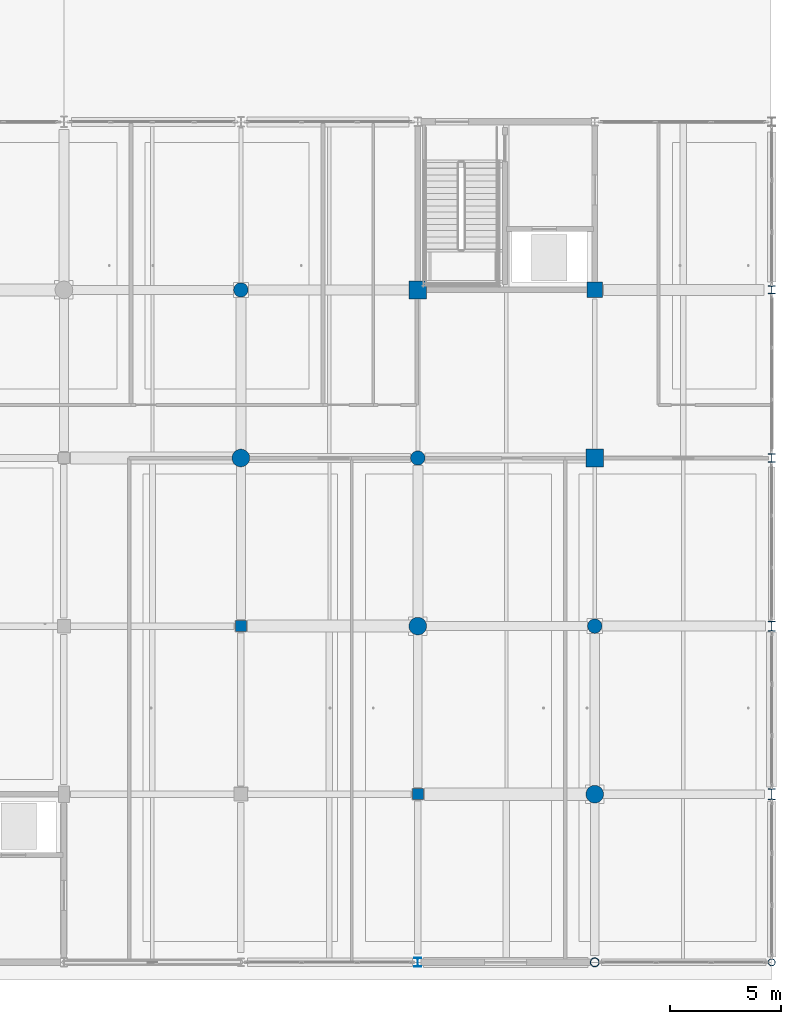
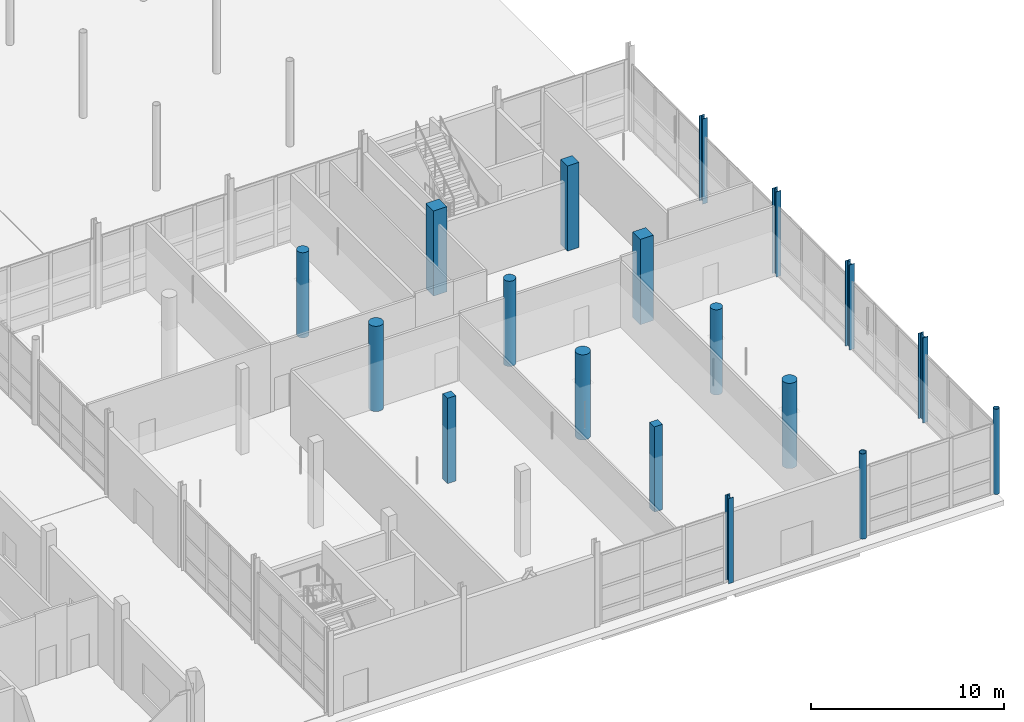
# One storey, part 7 of 126: 18 columns.
"""IFC4 building model written with IfcOpenShell, lengths in metres."""

from ifc_helpers import new_model, si_unit, direction, frame, origin, origin_2d, place, context, subcontext, project, spatial, rectangle, circle, hollow_circle, i_section, extrude, material, material_profile, profile_set, type_object, element, save


model = new_model("IFC4")

# Units and contexts
model_context = context("Model", 3, precision=1e-05, world=origin(), true_north=direction((0.0, 1.0)))
body_context = subcontext(model_context, "Body", "Model", "MODEL_VIEW")
ifc_project = project(units=[si_unit("LENGTHUNIT", "METRE"), si_unit("AREAUNIT", "SQUARE_METRE"), si_unit("VOLUMEUNIT", "CUBIC_METRE"), si_unit("PLANEANGLEUNIT", "RADIAN"), si_unit("MASSUNIT", "GRAM", prefix="KILO")], contexts=[model_context])

# Site, building, storey
site_placement = place(None, origin())
site = spatial("IfcSite", under=ifc_project, at=site_placement, CompositionType="ELEMENT")
building_placement = place(site_placement, origin())
building = spatial("IfcBuilding", under=site, at=building_placement, Name="Khelvaren Railside Concert Hall", CompositionType="ELEMENT")
storey_placement = place(building_placement, origin())
storey = spatial("IfcBuildingStorey", under=building, at=storey_placement, Name="L00", CompositionType="ELEMENT", Elevation=0.0)

# Columns
ifc_material_1 = material(Name="Steel S355", Category="steel")
ifc_material_profile_1 = material_profile(ifc_material_1, i_section(OverallWidth=0.300048828125, OverallDepth=0.360107421875, WebThickness=0.012451171875, FlangeThickness=0.0224609375, FilletRadius=0.027099609375, at=origin_2d()), Name="HEB 360")
ifc_profile_set_1 = profile_set([ifc_material_profile_1], Name="Steel S355")
column_type_1 = type_object("IfcColumnType", Name="COL12", PredefinedType="COLUMN", material=ifc_profile_set_1)
column_1_placement = place(storey_placement, frame((184.0, 30.39990234375, 0.0), z_axis=(0.0, 0.0, 1.0), x_axis=(1.0, 0.0, 0.0)))
element("IfcColumn", 1, at=column_1_placement, inside=storey, type_object=column_type_1, Name="V2 L00 Column (184.0,30.4)", PredefinedType="COLUMN", context=body_context, shape_type="SweptSolid", body=[
    extrude(i_section(OverallWidth=0.300048828125, OverallDepth=0.360107421875, WebThickness=0.012451171875, FlangeThickness=0.0224609375, FilletRadius=0.027099609375, at=origin_2d()), origin(), (0.0, 0.0, 1.0), 5.39990234375),
])
ifc_material_2 = material(Name="Concrete C45/55", Category="concrete")
ifc_material_profile_2 = material_profile(ifc_material_2, circle(Radius=0.39990234375, at=origin_2d()), Name="RC D800")
ifc_profile_set_2 = profile_set([ifc_material_profile_2], Name="Concrete C45/55")
column_type_2 = type_object("IfcColumnType", Name="COL14", PredefinedType="COLUMN", material=ifc_profile_set_2)
for number, where, z_axis, x_axis, name in (
    (2, (160.0, 22.800048828125, 0.0), (0.0, 0.0, 1.0), (1.0, 0.0, 0.0), "V2 L00 Column (160.0,22.8)"),
    (3, (168.0, 15.199951171875, 0.0), (0.0, 0.0, 1.0), (1.0, 0.0, 0.0), "V2 L00 Column (168.0,15.2)"),
    (4, (176.0, 7.60009765625, 0.0), (0.0, 0.0, 1.0), (1.0, 0.0, 0.0), "V2 L00 Column (176.0,7.6)"),
):
    element("IfcColumn", number, at=place(storey_placement, frame(where, z_axis=z_axis, x_axis=x_axis)), inside=storey, type_object=column_type_2, Name=name, PredefinedType="COLUMN", context=body_context, shape_type="SweptSolid", body=[
        extrude(circle(Radius=0.39990234375, at=origin_2d()), origin(), (0.0, 0.0, 1.0), 5.39990234375),
    ])
ifc_material_profile_3 = material_profile(ifc_material_1, i_section(OverallWidth=0.300048828125, OverallDepth=0.5, WebThickness=0.014404296875, FlangeThickness=0.028076171875, FilletRadius=0.027099609375, at=origin_2d()), Name="HEB 500")
ifc_profile_set_3 = profile_set([ifc_material_profile_3], Name="Steel S355")
column_type_3 = type_object("IfcColumnType", Name="COL15", PredefinedType="COLUMN", material=ifc_profile_set_3)
column_2_placement = place(storey_placement, frame((184.0, 7.60009765625, 0.0), z_axis=(0.0, 0.0, 1.0), x_axis=(1.0, 0.0, 0.0)))
element("IfcColumn", 5, at=column_2_placement, inside=storey, type_object=column_type_3, Name="V2 L00 Column (184.0,7.6)", PredefinedType="COLUMN", context=body_context, shape_type="SweptSolid", body=[
    extrude(i_section(OverallWidth=0.300048828125, OverallDepth=0.5, WebThickness=0.014404296875, FlangeThickness=0.028076171875, FilletRadius=0.027099609375, at=origin_2d()), origin(), (0.0, 0.0, 1.0), 5.39990234375),
])
ifc_material_profile_4 = material_profile(ifc_material_2, rectangle(XDim=0.800048828125, YDim=0.800048828125, at=origin_2d()), Name="RC 800x800")
ifc_profile_set_4 = profile_set([ifc_material_profile_4], Name="Concrete C45/55")
column_type_4 = type_object("IfcColumnType", Name="COL20", PredefinedType="COLUMN", material=ifc_profile_set_4)
for number, where, z_axis, x_axis, name in (
    (6, (168.0, 30.39990234375, 0.0), (0.0, 0.0, 1.0), (1.0, 0.0, 0.0), "V2 L00 Column (168.0,30.4)"),
    (7, (176.0, 22.800048828125, 0.0), (0.0, 0.0, 1.0), (1.0, 0.0, 0.0), "V2 L00 Column (176.0,22.8)"),
):
    element("IfcColumn", number, at=place(storey_placement, frame(where, z_axis=z_axis, x_axis=x_axis)), inside=storey, type_object=column_type_4, Name=name, PredefinedType="COLUMN", context=body_context, shape_type="SweptSolid", body=[
        extrude(rectangle(XDim=0.800048828125, YDim=0.800048828125, at=origin_2d()), origin(), (0.0, 0.0, 1.0), 5.39990234375),
    ])
ifc_material_profile_5 = material_profile(ifc_material_1, i_section(OverallWidth=0.300048828125, OverallDepth=0.389892578125, WebThickness=0.010986328125, FlangeThickness=0.01904296875, FilletRadius=0.027099609375, at=origin_2d()), Name="HEA 400")
ifc_profile_set_5 = profile_set([ifc_material_profile_5], Name="Steel S355")
column_type_5 = type_object("IfcColumnType", Name="COL23", PredefinedType="COLUMN", material=ifc_profile_set_5)
column_3_placement = place(storey_placement, frame((168.0, 0.0, 0.0), z_axis=(0.0, 0.0, 1.0), x_axis=(1.0, 0.0, 0.0)))
element("IfcColumn", 8, at=column_3_placement, inside=storey, type_object=column_type_5, Name="V2 L00 Column (168.0,0.0)", PredefinedType="COLUMN", context=body_context, shape_type="SweptSolid", body=[
    extrude(i_section(OverallWidth=0.300048828125, OverallDepth=0.389892578125, WebThickness=0.010986328125, FlangeThickness=0.01904296875, FilletRadius=0.027099609375, at=origin_2d()), origin(), (0.0, 0.0, 1.0), 5.39990234375),
])
ifc_material_profile_6 = material_profile(ifc_material_1, hollow_circle(Radius=0.203125, WallThickness=0.02001953125, at=origin_2d()), Name="CHS 406.4x20")
ifc_profile_set_6 = profile_set([ifc_material_profile_6], Name="Steel S355")
column_type_6 = type_object("IfcColumnType", Name="COL27", PredefinedType="COLUMN", material=ifc_profile_set_6)
column_4_placement = place(storey_placement, frame((176.0, 0.0, 0.0), z_axis=(0.0, 0.0, 1.0), x_axis=(1.0, 0.0, 0.0)))
element("IfcColumn", 9, at=column_4_placement, inside=storey, type_object=column_type_6, Name="V2 L00 Column (176.0,0.0)", PredefinedType="COLUMN", context=body_context, shape_type="SweptSolid", body=[
    extrude(hollow_circle(Radius=0.203125, WallThickness=0.02001953125, at=origin_2d()), origin(), (0.0, 0.0, 1.0), 5.39990234375),
])
ifc_material_profile_7 = material_profile(ifc_material_1, hollow_circle(Radius=0.161865234375, WallThickness=0.01611328125, at=origin_2d()), Name="CHS 323.9x16")
ifc_profile_set_7 = profile_set([ifc_material_profile_7], Name="Steel S355")
column_type_7 = type_object("IfcColumnType", Name="COL47", PredefinedType="COLUMN", material=ifc_profile_set_7)
column_5_placement = place(storey_placement, frame((184.0, 0.0, 0.0), z_axis=(0.0, 0.0, 1.0), x_axis=(1.0, 0.0, 0.0)))
element("IfcColumn", 10, at=column_5_placement, inside=storey, type_object=column_type_7, Name="V2 L00 Column (184.0,0.0)", PredefinedType="COLUMN", context=body_context, shape_type="SweptSolid", body=[
    extrude(hollow_circle(Radius=0.161865234375, WallThickness=0.01611328125, at=origin_2d()), origin(), (0.0, 0.0, 1.0), 5.39990234375),
])
ifc_material_profile_8 = material_profile(ifc_material_2, rectangle(XDim=0.699951171875, YDim=0.699951171875, at=origin_2d()), Name="RC 700x700")
ifc_profile_set_8 = profile_set([ifc_material_profile_8], Name="Concrete C45/55")
column_type_8 = type_object("IfcColumnType", Name="COL74", PredefinedType="COLUMN", material=ifc_profile_set_8)
column_6_placement = place(storey_placement, frame((176.0, 30.39990234375, 0.0), z_axis=(0.0, 0.0, 1.0), x_axis=(1.0, 0.0, 0.0)))
element("IfcColumn", 11, at=column_6_placement, inside=storey, type_object=column_type_8, Name="V2 L00 Column (176.0,30.4)", PredefinedType="COLUMN", context=body_context, shape_type="SweptSolid", body=[
    extrude(rectangle(XDim=0.699951171875, YDim=0.699951171875, at=origin_2d()), origin(), (0.0, 0.0, 1.0), 5.39990234375),
])
ifc_material_profile_9 = material_profile(ifc_material_1, i_section(OverallWidth=0.300048828125, OverallDepth=0.449951171875, WebThickness=0.013916015625, FlangeThickness=0.02587890625, FilletRadius=0.027099609375, at=origin_2d()), Name="HEB 450")
ifc_profile_set_9 = profile_set([ifc_material_profile_9], Name="Steel S355")
column_type_9 = type_object("IfcColumnType", Name="COL77", PredefinedType="COLUMN", material=ifc_profile_set_9)
column_7_placement = place(storey_placement, frame((184.0, 15.199951171875, 0.0), z_axis=(0.0, 0.0, 1.0), x_axis=(1.0, 0.0, 0.0)))
element("IfcColumn", 12, at=column_7_placement, inside=storey, type_object=column_type_9, Name="V2 L00 Column (184.0,15.2)", PredefinedType="COLUMN", context=body_context, shape_type="SweptSolid", body=[
    extrude(i_section(OverallWidth=0.300048828125, OverallDepth=0.449951171875, WebThickness=0.013916015625, FlangeThickness=0.02587890625, FilletRadius=0.027099609375, at=origin_2d()), origin(), (0.0, 0.0, 1.0), 5.39990234375),
])
ifc_material_profile_10 = material_profile(ifc_material_2, rectangle(XDim=0.5, YDim=0.5, at=origin_2d()), Name="RC 500x500")
ifc_profile_set_10 = profile_set([ifc_material_profile_10], Name="Concrete C45/55")
column_type_10 = type_object("IfcColumnType", Name="COL84", PredefinedType="COLUMN", material=ifc_profile_set_10)
for number, where, z_axis, x_axis, name in (
    (13, (160.0, 15.199951171875, 0.0), (0.0, 0.0, 1.0), (1.0, 0.0, 0.0), "V2 L00 Column (160.0,15.2)"),
    (14, (168.0, 7.60009765625, 0.0), (0.0, 0.0, 1.0), (1.0, 0.0, 0.0), "V2 L00 Column (168.0,7.6)"),
):
    element("IfcColumn", number, at=place(storey_placement, frame(where, z_axis=z_axis, x_axis=x_axis)), inside=storey, type_object=column_type_10, Name=name, PredefinedType="COLUMN", context=body_context, shape_type="SweptSolid", body=[
        extrude(rectangle(XDim=0.5, YDim=0.5, at=origin_2d()), origin(), (0.0, 0.0, 1.0), 5.39990234375),
    ])
ifc_material_profile_11 = material_profile(ifc_material_1, i_section(OverallWidth=0.300048828125, OverallDepth=0.39990234375, WebThickness=0.013427734375, FlangeThickness=0.02392578125, FilletRadius=0.027099609375, at=origin_2d()), Name="HEB 400")
ifc_profile_set_11 = profile_set([ifc_material_profile_11], Name="Steel S355")
column_type_11 = type_object("IfcColumnType", Name="COL88", PredefinedType="COLUMN", material=ifc_profile_set_11)
column_8_placement = place(storey_placement, frame((184.0, 22.800048828125, 0.0), z_axis=(0.0, 0.0, 1.0), x_axis=(1.0, 0.0, 0.0)))
element("IfcColumn", 15, at=column_8_placement, inside=storey, type_object=column_type_11, Name="V2 L00 Column (184.0,22.8)", PredefinedType="COLUMN", context=body_context, shape_type="SweptSolid", body=[
    extrude(i_section(OverallWidth=0.300048828125, OverallDepth=0.39990234375, WebThickness=0.013427734375, FlangeThickness=0.02392578125, FilletRadius=0.027099609375, at=origin_2d()), origin(), (0.0, 0.0, 1.0), 5.39990234375),
])
ifc_material_profile_12 = material_profile(ifc_material_2, circle(Radius=0.324951171875, at=origin_2d()), Name="RC D650")
ifc_profile_set_12 = profile_set([ifc_material_profile_12], Name="Concrete C45/55")
column_type_12 = type_object("IfcColumnType", Name="COL94", PredefinedType="COLUMN", material=ifc_profile_set_12)
for number, where, z_axis, x_axis, name in (
    (16, (160.0, 30.39990234375, 0.0), (0.0, 0.0, 1.0), (1.0, 0.0, 0.0), "V2 L00 Column (160.0,30.4)"),
    (17, (168.0, 22.800048828125, 0.0), (0.0, 0.0, 1.0), (1.0, 0.0, 0.0), "V2 L00 Column (168.0,22.8)"),
    (18, (176.0, 15.199951171875, 0.0), (0.0, 0.0, 1.0), (1.0, 0.0, 0.0), "V2 L00 Column (176.0,15.2)"),
):
    element("IfcColumn", number, at=place(storey_placement, frame(where, z_axis=z_axis, x_axis=x_axis)), inside=storey, type_object=column_type_12, Name=name, PredefinedType="COLUMN", context=body_context, shape_type="SweptSolid", body=[
        extrude(circle(Radius=0.324951171875, at=origin_2d()), origin(), (0.0, 0.0, 1.0), 5.39990234375),
    ])

save(model, "model.ifc")
